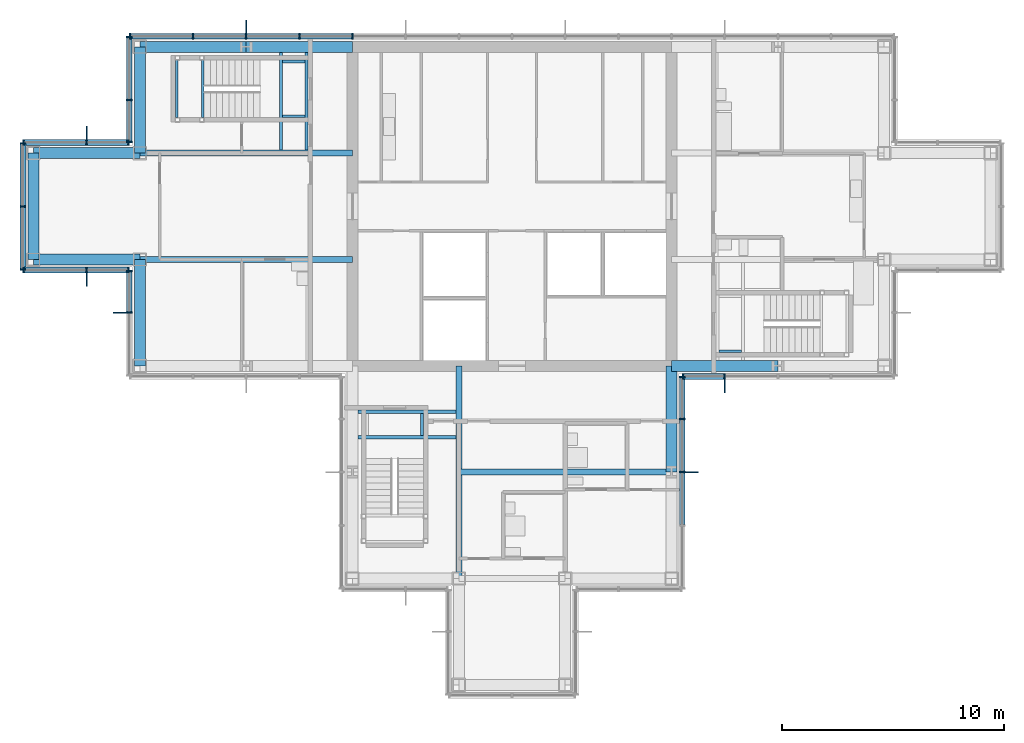
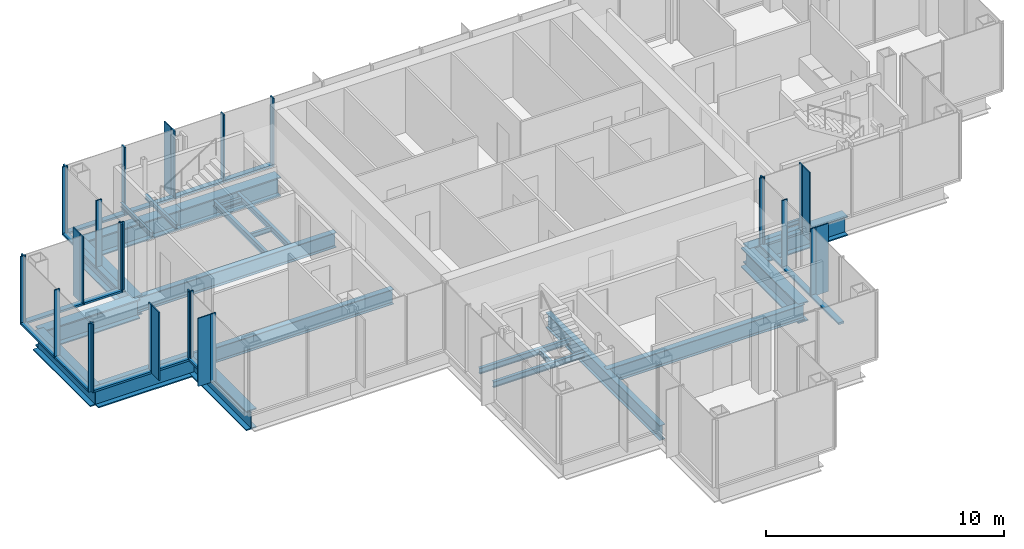
# One storey, part 6 of 15: 47 members, 23 beams, 8 elements without a shape of their own.
"""IFC4 building model written with IfcOpenShell, lengths in metres."""

from ifc_helpers import new_model, si_unit, direction, frame, origin, origin_2d, place, context, subcontext, project, spatial, rectangle, i_section, extrude, material, material_profile, profile_set, type_object, element, aggregate, save


model = new_model("IFC4")

# Units and contexts
model_context = context("Model", 3, precision=1e-05, world=origin(), true_north=direction((0.0, 1.0)))
body_context = subcontext(model_context, "Body", "Model", "MODEL_VIEW")
ifc_project = project(units=[si_unit("LENGTHUNIT", "METRE"), si_unit("AREAUNIT", "SQUARE_METRE"), si_unit("VOLUMEUNIT", "CUBIC_METRE"), si_unit("PLANEANGLEUNIT", "RADIAN"), si_unit("MASSUNIT", "GRAM", prefix="KILO")], contexts=[model_context])

# Site, building, storey
site_placement = place(None, origin())
site = spatial("IfcSite", under=ifc_project, at=site_placement, CompositionType="ELEMENT")
building_placement = place(site_placement, origin())
building = spatial("IfcBuilding", under=site, at=building_placement, Name="Kvirike Care Tower", CompositionType="ELEMENT")
storey_placement = place(building_placement, frame((0.0, 0.0, 236.5)))
storey = spatial("IfcBuildingStorey", under=building, at=storey_placement, Name="L65", CompositionType="ELEMENT", Elevation=236.5)

# Curtain wall, member
ifc_material_1 = material(Name="Anodised aluminium stick system", Category="aluminium")
curtain_wall_type = type_object("IfcCurtainWallType", Name="CW-D STICK CURTAIN WALL", PredefinedType="NOTDEFINED", material=ifc_material_1)
curtain_wall_1_placement = place(storey_placement, origin())
curtain_wall_1 = element("IfcCurtainWall", 1, at=curtain_wall_1_placement, inside=storey, type_object=curtain_wall_type, Name="Curtain wall L65 face 1", PredefinedType="NOTDEFINED")
ifc_material_2 = material(Name="Bronze anodised aluminium fin", Category="aluminium")
ifc_material_profile_1 = material_profile(ifc_material_2, rectangle(XDim=0.050048828125, YDim=0.60009765625, at=origin_2d()), Name="BRONZE FIN 600")
ifc_profile_set_1 = profile_set([ifc_material_profile_1], Name="Bronze anodised aluminium fin")
member_type_1 = type_object("IfcMemberType", Name="BRONZE FIN 600", PredefinedType="USERDEFINED", material=ifc_profile_set_1)
member_1_placement = place(storey_placement, frame((31.199951171875, 27.889892578125, 0.0), z_axis=(0.0, 0.0, 1.0), x_axis=(1.0, 0.0, 0.0)))
member_1 = element("IfcMember", 2, at=member_1_placement, type_object=member_type_1, Name="Bronze fin L65 face 1.2", ObjectType="FIN", PredefinedType="USERDEFINED", context=body_context, shape_type="SweptSolid", body=[
    extrude(rectangle(XDim=0.050048828125, YDim=0.60009765625, at=origin_2d()), origin(), (0.0, 0.0, 1.0), 3.5),
])

curtain_wall_2_placement = place(storey_placement, origin())
curtain_wall_2 = element("IfcCurtainWall", 3, at=curtain_wall_2_placement, inside=storey, type_object=curtain_wall_type, Name="Curtain wall L65 face 7", PredefinedType="NOTDEFINED")
member_2_placement = place(storey_placement, frame((9.60009765625, 44.110107421875, 0.0), z_axis=(0.0, 0.0, 1.0), x_axis=(-1.0, 0.0, 0.0)))
member_2 = element("IfcMember", 4, at=member_2_placement, type_object=member_type_1, Name="Bronze fin L65 face 7.13", ObjectType="FIN", PredefinedType="USERDEFINED", context=body_context, shape_type="SweptSolid", body=[
    extrude(rectangle(XDim=0.050048828125, YDim=0.60009765625, at=origin_2d()), origin(), (0.0, 0.0, 1.0), 3.5),
])

curtain_wall_3_placement = place(storey_placement, origin())
curtain_wall_3 = element("IfcCurtainWall", 5, at=curtain_wall_3_placement, inside=storey, type_object=curtain_wall_type, Name="Curtain wall L65 face 9", PredefinedType="NOTDEFINED")
member_3_placement = place(storey_placement, frame((2.39990234375, 39.31005859375, 0.0), z_axis=(0.0, 0.0, 1.0), x_axis=(-1.0, 0.0, 0.0)))
member_3 = element("IfcMember", 6, at=member_3_placement, type_object=member_type_1, Name="Bronze fin L65 face 9.2", ObjectType="FIN", PredefinedType="USERDEFINED", context=body_context, shape_type="SweptSolid", body=[
    extrude(rectangle(XDim=0.050048828125, YDim=0.60009765625, at=origin_2d()), origin(), (0.0, 0.0, 1.0), 3.5),
])

curtain_wall_4_placement = place(storey_placement, origin())
curtain_wall_4 = element("IfcCurtainWall", 7, at=curtain_wall_4_placement, inside=storey, type_object=curtain_wall_type, Name="Curtain wall L65 face 11", PredefinedType="NOTDEFINED")
member_4_placement = place(storey_placement, frame((2.39990234375, 32.68994140625, 0.0), z_axis=(0.0, 0.0, 1.0), x_axis=(1.0, 0.0, 0.0)))
member_4 = element("IfcMember", 8, at=member_4_placement, type_object=member_type_1, Name="Bronze fin L65 face 11.2", ObjectType="FIN", PredefinedType="USERDEFINED", context=body_context, shape_type="SweptSolid", body=[
    extrude(rectangle(XDim=0.050048828125, YDim=0.60009765625, at=origin_2d()), origin(), (0.0, 0.0, 1.0), 3.5),
])

curtain_wall_5_placement = place(storey_placement, origin())
curtain_wall_5 = element("IfcCurtainWall", 9, at=curtain_wall_5_placement, inside=storey, type_object=curtain_wall_type, Name="Curtain wall L65 face 12", PredefinedType="NOTDEFINED")
member_5_placement = place(storey_placement, frame((3.889892578125, 31.199951171875, 0.0), z_axis=(0.0, 0.0, 1.0), x_axis=(0.0, -1.0, 0.0)))
member_5 = element("IfcMember", 10, at=member_5_placement, type_object=member_type_1, Name="Bronze fin L65 face 12.2", ObjectType="FIN", PredefinedType="USERDEFINED", context=body_context, shape_type="SweptSolid", body=[
    extrude(rectangle(XDim=0.050048828125, YDim=0.60009765625, at=origin_2d()), origin(), (0.0, 0.0, 1.0), 3.5),
])

curtain_wall_6_placement = place(storey_placement, origin())
curtain_wall_6 = element("IfcCurtainWall", 11, at=curtain_wall_6_placement, inside=storey, type_object=curtain_wall_type, Name="Curtain wall L65 face 20", PredefinedType="NOTDEFINED")
member_6_placement = place(storey_placement, frame((29.7099609375, 24.0, 0.0), z_axis=(0.0, 0.0, 1.0), x_axis=(0.0, 1.0, 0.0)))
member_6 = element("IfcMember", 12, at=member_6_placement, type_object=member_type_1, Name="Bronze fin L65 face 20.3", ObjectType="FIN", PredefinedType="USERDEFINED", context=body_context, shape_type="SweptSolid", body=[
    extrude(rectangle(XDim=0.050048828125, YDim=0.60009765625, at=origin_2d()), origin(), (0.0, 0.0, 1.0), 3.5),
])

# Member
ifc_material_3 = material(Name="Bronze anodised aluminium mullion", Category="aluminium")
ifc_material_profile_2 = material_profile(ifc_material_3, rectangle(XDim=0.06494140625, YDim=0.260009765625, at=origin_2d()), Name="CW-D MULLION 65x260")
ifc_profile_set_2 = profile_set([ifc_material_profile_2], Name="Bronze anodised aluminium mullion")
member_type_2 = type_object("IfcMemberType", Name="CW-D MULLION 65x260", PredefinedType="MULLION", material=ifc_profile_set_2)
member_7_placement = place(storey_placement, frame((29.3125, 28.320068359375, 0.0), z_axis=(0.0, 0.0, 1.0), x_axis=(1.0, 0.0, 0.0)))
member_7 = element("IfcMember", 13, at=member_7_placement, type_object=member_type_2, Name="CW-D mullion L65 face 1.1", PredefinedType="MULLION", context=body_context, shape_type="SweptSolid", body=[
    extrude(rectangle(XDim=0.06494140625, YDim=0.260009765625, at=origin_2d()), origin(), (0.0, 0.0, 1.0), 3.5),
])

member_8_placement = place(storey_placement, frame((31.199951171875, 28.320068359375, 0.0), z_axis=(0.0, 0.0, 1.0), x_axis=(1.0, 0.0, 0.0)))
member_8 = element("IfcMember", 14, at=member_8_placement, type_object=member_type_2, Name="CW-D mullion L65 face 1.2", PredefinedType="MULLION", context=body_context, shape_type="SweptSolid", body=[
    extrude(rectangle(XDim=0.06494140625, YDim=0.260009765625, at=origin_2d()), origin(), (0.0, 0.0, 1.0), 3.5),
])

member_9_placement = place(storey_placement, frame((14.39990234375, 43.679931640625, 0.0), z_axis=(0.0, 0.0, 1.0), x_axis=(-1.0, 0.0, 0.0)))
member_9 = element("IfcMember", 15, at=member_9_placement, type_object=member_type_2, Name="CW-D mullion L65 face 7.11", PredefinedType="MULLION", context=body_context, shape_type="SweptSolid", body=[
    extrude(rectangle(XDim=0.06494140625, YDim=0.260009765625, at=origin_2d()), origin(), (0.0, 0.0, 1.0), 3.5),
])

member_10_placement = place(storey_placement, frame((12.0, 43.679931640625, 0.0), z_axis=(0.0, 0.0, 1.0), x_axis=(-1.0, 0.0, 0.0)))
member_10 = element("IfcMember", 16, at=member_10_placement, type_object=member_type_2, Name="CW-D mullion L65 face 7.12", PredefinedType="MULLION", context=body_context, shape_type="SweptSolid", body=[
    extrude(rectangle(XDim=0.06494140625, YDim=0.260009765625, at=origin_2d()), origin(), (0.0, 0.0, 1.0), 3.5),
])

member_11_placement = place(storey_placement, frame((9.60009765625, 43.679931640625, 0.0), z_axis=(0.0, 0.0, 1.0), x_axis=(-1.0, 0.0, 0.0)))
member_11 = element("IfcMember", 17, at=member_11_placement, type_object=member_type_2, Name="CW-D mullion L65 face 7.13", PredefinedType="MULLION", context=body_context, shape_type="SweptSolid", body=[
    extrude(rectangle(XDim=0.06494140625, YDim=0.260009765625, at=origin_2d()), origin(), (0.0, 0.0, 1.0), 3.5),
])

member_12_placement = place(storey_placement, frame((7.199951171875, 43.679931640625, 0.0), z_axis=(0.0, 0.0, 1.0), x_axis=(-1.0, 0.0, 0.0)))
member_12 = element("IfcMember", 18, at=member_12_placement, type_object=member_type_2, Name="CW-D mullion L65 face 7.14", PredefinedType="MULLION", context=body_context, shape_type="SweptSolid", body=[
    extrude(rectangle(XDim=0.06494140625, YDim=0.260009765625, at=origin_2d()), origin(), (0.0, 0.0, 1.0), 3.5),
])

member_13_placement = place(storey_placement, frame((4.3525390625, 43.679931640625, 0.0), z_axis=(0.0, 0.0, 1.0), x_axis=(-1.0, 0.0, 0.0)))
member_13 = element("IfcMember", 19, at=member_13_placement, type_object=member_type_2, Name="CW-D mullion L65 face 7.15", PredefinedType="MULLION", context=body_context, shape_type="SweptSolid", body=[
    extrude(rectangle(XDim=0.06494140625, YDim=0.260009765625, at=origin_2d()), origin(), (0.0, 0.0, 1.0), 3.5),
])

# Curtain wall, members
curtain_wall_7_placement = place(storey_placement, origin())
curtain_wall_7 = element("IfcCurtainWall", 20, at=curtain_wall_7_placement, inside=storey, type_object=curtain_wall_type, Name="Curtain wall L65 face 8", PredefinedType="NOTDEFINED")
member_14_placement = place(storey_placement, frame((4.320068359375, 43.6474609375, 0.0), z_axis=(0.0, 0.0, 1.0), x_axis=(0.0, -1.0, 0.0)))
member_14 = element("IfcMember", 21, at=member_14_placement, type_object=member_type_2, Name="CW-D mullion L65 face 8.1", PredefinedType="MULLION", context=body_context, shape_type="SweptSolid", body=[
    extrude(rectangle(XDim=0.06494140625, YDim=0.260009765625, at=origin_2d()), origin(), (0.0, 0.0, 1.0), 3.5),
])
member_15_placement = place(storey_placement, frame((4.320068359375, 40.800048828125, 0.0), z_axis=(0.0, 0.0, 1.0), x_axis=(0.0, -1.0, 0.0)))
member_15 = element("IfcMember", 22, at=member_15_placement, type_object=member_type_2, Name="CW-D mullion L65 face 8.2", PredefinedType="MULLION", context=body_context, shape_type="SweptSolid", body=[
    extrude(rectangle(XDim=0.06494140625, YDim=0.260009765625, at=origin_2d()), origin(), (0.0, 0.0, 1.0), 3.5),
])
member_16_placement = place(storey_placement, frame((4.320068359375, 38.91259765625, 0.0), z_axis=(0.0, 0.0, 1.0), x_axis=(0.0, -1.0, 0.0)))
member_16 = element("IfcMember", 23, at=member_16_placement, type_object=member_type_2, Name="CW-D mullion L65 face 8.3", PredefinedType="MULLION", context=body_context, shape_type="SweptSolid", body=[
    extrude(rectangle(XDim=0.06494140625, YDim=0.260009765625, at=origin_2d()), origin(), (0.0, 0.0, 1.0), 3.5),
])

# Member
member_17_placement = place(storey_placement, frame((4.28759765625, 38.8798828125, 0.0), z_axis=(0.0, 0.0, 1.0), x_axis=(-1.0, 0.0, 0.0)))
member_17 = element("IfcMember", 24, at=member_17_placement, type_object=member_type_2, Name="CW-D mullion L65 face 9.1", PredefinedType="MULLION", context=body_context, shape_type="SweptSolid", body=[
    extrude(rectangle(XDim=0.06494140625, YDim=0.260009765625, at=origin_2d()), origin(), (0.0, 0.0, 1.0), 3.5),
])

member_18_placement = place(storey_placement, frame((2.39990234375, 38.8798828125, 0.0), z_axis=(0.0, 0.0, 1.0), x_axis=(-1.0, 0.0, 0.0)))
member_18 = element("IfcMember", 25, at=member_18_placement, type_object=member_type_2, Name="CW-D mullion L65 face 9.2", PredefinedType="MULLION", context=body_context, shape_type="SweptSolid", body=[
    extrude(rectangle(XDim=0.06494140625, YDim=0.260009765625, at=origin_2d()), origin(), (0.0, 0.0, 1.0), 3.5),
])

member_19_placement = place(storey_placement, frame((-0.447509765625, 38.8798828125, 0.0), z_axis=(0.0, 0.0, 1.0), x_axis=(-1.0, 0.0, 0.0)))
member_19 = element("IfcMember", 26, at=member_19_placement, type_object=member_type_2, Name="CW-D mullion L65 face 9.3", PredefinedType="MULLION", context=body_context, shape_type="SweptSolid", body=[
    extrude(rectangle(XDim=0.06494140625, YDim=0.260009765625, at=origin_2d()), origin(), (0.0, 0.0, 1.0), 3.5),
])

# Curtain wall, members
curtain_wall_8_placement = place(storey_placement, origin())
curtain_wall_8 = element("IfcCurtainWall", 27, at=curtain_wall_8_placement, inside=storey, type_object=curtain_wall_type, Name="Curtain wall L65 face 10", PredefinedType="NOTDEFINED")
member_20_placement = place(storey_placement, frame((-0.47998046875, 38.847412109375, 0.0), z_axis=(0.0, 0.0, 1.0), x_axis=(0.0, -1.0, 0.0)))
member_20 = element("IfcMember", 28, at=member_20_placement, type_object=member_type_2, Name="CW-D mullion L65 face 10.1", PredefinedType="MULLION", context=body_context, shape_type="SweptSolid", body=[
    extrude(rectangle(XDim=0.06494140625, YDim=0.260009765625, at=origin_2d()), origin(), (0.0, 0.0, 1.0), 3.5),
])
member_21_placement = place(storey_placement, frame((-0.47998046875, 36.0, 0.0), z_axis=(0.0, 0.0, 1.0), x_axis=(0.0, -1.0, 0.0)))
member_21 = element("IfcMember", 29, at=member_21_placement, type_object=member_type_2, Name="CW-D mullion L65 face 10.2", PredefinedType="MULLION", context=body_context, shape_type="SweptSolid", body=[
    extrude(rectangle(XDim=0.06494140625, YDim=0.260009765625, at=origin_2d()), origin(), (0.0, 0.0, 1.0), 3.5),
])
member_22_placement = place(storey_placement, frame((-0.47998046875, 33.152587890625, 0.0), z_axis=(0.0, 0.0, 1.0), x_axis=(0.0, -1.0, 0.0)))
member_22 = element("IfcMember", 30, at=member_22_placement, type_object=member_type_2, Name="CW-D mullion L65 face 10.3", PredefinedType="MULLION", context=body_context, shape_type="SweptSolid", body=[
    extrude(rectangle(XDim=0.06494140625, YDim=0.260009765625, at=origin_2d()), origin(), (0.0, 0.0, 1.0), 3.5),
])

# Member
member_23_placement = place(storey_placement, frame((-0.447509765625, 33.1201171875, 0.0), z_axis=(0.0, 0.0, 1.0), x_axis=(1.0, 0.0, 0.0)))
member_23 = element("IfcMember", 31, at=member_23_placement, type_object=member_type_2, Name="CW-D mullion L65 face 11.1", PredefinedType="MULLION", context=body_context, shape_type="SweptSolid", body=[
    extrude(rectangle(XDim=0.06494140625, YDim=0.260009765625, at=origin_2d()), origin(), (0.0, 0.0, 1.0), 3.5),
])

member_24_placement = place(storey_placement, frame((2.39990234375, 33.1201171875, 0.0), z_axis=(0.0, 0.0, 1.0), x_axis=(1.0, 0.0, 0.0)))
member_24 = element("IfcMember", 32, at=member_24_placement, type_object=member_type_2, Name="CW-D mullion L65 face 11.2", PredefinedType="MULLION", context=body_context, shape_type="SweptSolid", body=[
    extrude(rectangle(XDim=0.06494140625, YDim=0.260009765625, at=origin_2d()), origin(), (0.0, 0.0, 1.0), 3.5),
])

member_25_placement = place(storey_placement, frame((4.28759765625, 33.1201171875, 0.0), z_axis=(0.0, 0.0, 1.0), x_axis=(1.0, 0.0, 0.0)))
member_25 = element("IfcMember", 33, at=member_25_placement, type_object=member_type_2, Name="CW-D mullion L65 face 11.3", PredefinedType="MULLION", context=body_context, shape_type="SweptSolid", body=[
    extrude(rectangle(XDim=0.06494140625, YDim=0.260009765625, at=origin_2d()), origin(), (0.0, 0.0, 1.0), 3.5),
])

member_26_placement = place(storey_placement, frame((4.320068359375, 33.08740234375, 0.0), z_axis=(0.0, 0.0, 1.0), x_axis=(0.0, -1.0, 0.0)))
member_26 = element("IfcMember", 34, at=member_26_placement, type_object=member_type_2, Name="CW-D mullion L65 face 12.1", PredefinedType="MULLION", context=body_context, shape_type="SweptSolid", body=[
    extrude(rectangle(XDim=0.06494140625, YDim=0.260009765625, at=origin_2d()), origin(), (0.0, 0.0, 1.0), 3.5),
])

member_27_placement = place(storey_placement, frame((4.320068359375, 31.199951171875, 0.0), z_axis=(0.0, 0.0, 1.0), x_axis=(0.0, -1.0, 0.0)))
member_27 = element("IfcMember", 35, at=member_27_placement, type_object=member_type_2, Name="CW-D mullion L65 face 12.2", PredefinedType="MULLION", context=body_context, shape_type="SweptSolid", body=[
    extrude(rectangle(XDim=0.06494140625, YDim=0.260009765625, at=origin_2d()), origin(), (0.0, 0.0, 1.0), 3.5),
])

member_28_placement = place(storey_placement, frame((29.280029296875, 24.0, 0.0), z_axis=(0.0, 0.0, 1.0), x_axis=(0.0, 1.0, 0.0)))
member_28 = element("IfcMember", 36, at=member_28_placement, type_object=member_type_2, Name="CW-D mullion L65 face 20.3", PredefinedType="MULLION", context=body_context, shape_type="SweptSolid", body=[
    extrude(rectangle(XDim=0.06494140625, YDim=0.260009765625, at=origin_2d()), origin(), (0.0, 0.0, 1.0), 3.5),
])

member_29_placement = place(storey_placement, frame((29.280029296875, 26.39990234375, 0.0), z_axis=(0.0, 0.0, 1.0), x_axis=(0.0, 1.0, 0.0)))
member_29 = element("IfcMember", 37, at=member_29_placement, type_object=member_type_2, Name="CW-D mullion L65 face 20.4", PredefinedType="MULLION", context=body_context, shape_type="SweptSolid", body=[
    extrude(rectangle(XDim=0.06494140625, YDim=0.260009765625, at=origin_2d()), origin(), (0.0, 0.0, 1.0), 3.5),
])

member_30_placement = place(storey_placement, frame((29.280029296875, 28.28759765625, 0.0), z_axis=(0.0, 0.0, 1.0), x_axis=(0.0, 1.0, 0.0)))
member_30 = element("IfcMember", 38, at=member_30_placement, type_object=member_type_2, Name="CW-D mullion L65 face 20.5", PredefinedType="MULLION", context=body_context, shape_type="SweptSolid", body=[
    extrude(rectangle(XDim=0.06494140625, YDim=0.260009765625, at=origin_2d()), origin(), (0.0, 0.0, 1.0), 3.5),
])

ifc_material_4 = material(Name="Bronze anodised aluminium transom", Category="aluminium")
ifc_material_profile_3 = material_profile(ifc_material_4, rectangle(XDim=0.260009765625, YDim=0.10009765625, at=origin_2d()), Name="CW-D TRANSOM 260x100")
ifc_profile_set_3 = profile_set([ifc_material_profile_3], Name="Bronze anodised aluminium transom")
member_type_3 = type_object("IfcMemberType", Name="CW-D TRANSOM 260x100", PredefinedType="USERDEFINED", material=ifc_profile_set_3)
member_31_placement = place(storey_placement, frame((29.344970703125, 28.320068359375, 0.050048828125), z_axis=(1.0, 0.0, 0.0), x_axis=(0.0, 1.0, 0.0)))
member_31 = element("IfcMember", 39, at=member_31_placement, type_object=member_type_3, Name="CW-D sill transom L65 face 1.1", ObjectType="TRANSOM", PredefinedType="USERDEFINED", context=body_context, shape_type="SweptSolid", body=[
    extrude(rectangle(XDim=0.260009765625, YDim=0.10009765625, at=origin_2d()), origin(), (0.0, 0.0, 1.0), 1.822509765625),
])

aggregate(curtain_wall_1, [member_7, member_8, member_1, member_31])

member_32_placement = place(storey_placement, frame((14.367431640625, 43.679931640625, 0.050048828125), z_axis=(-1.0, 0.0, 0.0), x_axis=(0.0, -1.0, 0.0)))
member_32 = element("IfcMember", 40, at=member_32_placement, type_object=member_type_3, Name="CW-D sill transom L65 face 7.11", ObjectType="TRANSOM", PredefinedType="USERDEFINED", context=body_context, shape_type="SweptSolid", body=[
    extrude(rectangle(XDim=0.260009765625, YDim=0.10009765625, at=origin_2d()), origin(), (0.0, 0.0, 1.0), 2.3349609375),
])

member_33_placement = place(storey_placement, frame((11.967529296875, 43.679931640625, 0.050048828125), z_axis=(-1.0, 0.0, 0.0), x_axis=(0.0, -1.0, 0.0)))
member_33 = element("IfcMember", 41, at=member_33_placement, type_object=member_type_3, Name="CW-D sill transom L65 face 7.12", ObjectType="TRANSOM", PredefinedType="USERDEFINED", context=body_context, shape_type="SweptSolid", body=[
    extrude(rectangle(XDim=0.260009765625, YDim=0.10009765625, at=origin_2d()), origin(), (0.0, 0.0, 1.0), 2.3349609375),
])

member_34_placement = place(storey_placement, frame((9.5673828125, 43.679931640625, 0.050048828125), z_axis=(-1.0, 0.0, 0.0), x_axis=(0.0, -1.0, 0.0)))
member_34 = element("IfcMember", 42, at=member_34_placement, type_object=member_type_3, Name="CW-D sill transom L65 face 7.13", ObjectType="TRANSOM", PredefinedType="USERDEFINED", context=body_context, shape_type="SweptSolid", body=[
    extrude(rectangle(XDim=0.260009765625, YDim=0.10009765625, at=origin_2d()), origin(), (0.0, 0.0, 1.0), 2.3349609375),
])

member_35_placement = place(storey_placement, frame((7.16748046875, 43.679931640625, 0.050048828125), z_axis=(-1.0, 0.0, 0.0), x_axis=(0.0, -1.0, 0.0)))
member_35 = element("IfcMember", 43, at=member_35_placement, type_object=member_type_3, Name="CW-D sill transom L65 face 7.14", ObjectType="TRANSOM", PredefinedType="USERDEFINED", context=body_context, shape_type="SweptSolid", body=[
    extrude(rectangle(XDim=0.260009765625, YDim=0.10009765625, at=origin_2d()), origin(), (0.0, 0.0, 1.0), 2.782470703125),
])

aggregate(curtain_wall_2, [member_9, member_10, member_11, member_2, member_12, member_13, member_32, member_33, member_34, member_35])

member_36_placement = place(storey_placement, frame((4.320068359375, 43.614990234375, 0.050048828125), z_axis=(0.0, -1.0, 0.0), x_axis=(1.0, 0.0, 0.0)))
member_36 = element("IfcMember", 44, at=member_36_placement, type_object=member_type_3, Name="CW-D sill transom L65 face 8.1", ObjectType="TRANSOM", PredefinedType="USERDEFINED", context=body_context, shape_type="SweptSolid", body=[
    extrude(rectangle(XDim=0.260009765625, YDim=0.10009765625, at=origin_2d()), origin(), (0.0, 0.0, 1.0), 2.782470703125),
])

member_37_placement = place(storey_placement, frame((4.320068359375, 40.767578125, 0.050048828125), z_axis=(0.0, -1.0, 0.0), x_axis=(1.0, 0.0, 0.0)))
member_37 = element("IfcMember", 45, at=member_37_placement, type_object=member_type_3, Name="CW-D sill transom L65 face 8.2", ObjectType="TRANSOM", PredefinedType="USERDEFINED", context=body_context, shape_type="SweptSolid", body=[
    extrude(rectangle(XDim=0.260009765625, YDim=0.10009765625, at=origin_2d()), origin(), (0.0, 0.0, 1.0), 1.822509765625),
])

aggregate(curtain_wall_7, [member_14, member_15, member_16, member_36, member_37])

member_38_placement = place(storey_placement, frame((4.2548828125, 38.8798828125, 0.050048828125), z_axis=(-1.0, 0.0, 0.0), x_axis=(0.0, -1.0, 0.0)))
member_38 = element("IfcMember", 46, at=member_38_placement, type_object=member_type_3, Name="CW-D sill transom L65 face 9.1", ObjectType="TRANSOM", PredefinedType="USERDEFINED", context=body_context, shape_type="SweptSolid", body=[
    extrude(rectangle(XDim=0.260009765625, YDim=0.10009765625, at=origin_2d()), origin(), (0.0, 0.0, 1.0), 1.822265625),
])

member_39_placement = place(storey_placement, frame((2.367431640625, 38.8798828125, 0.050048828125), z_axis=(-1.0, 0.0, 0.0), x_axis=(0.0, -1.0, 0.0)))
member_39 = element("IfcMember", 47, at=member_39_placement, type_object=member_type_3, Name="CW-D sill transom L65 face 9.2", ObjectType="TRANSOM", PredefinedType="USERDEFINED", context=body_context, shape_type="SweptSolid", body=[
    extrude(rectangle(XDim=0.260009765625, YDim=0.10009765625, at=origin_2d()), origin(), (0.0, 0.0, 1.0), 2.782470703125),
])

aggregate(curtain_wall_3, [member_17, member_18, member_3, member_19, member_38, member_39])

member_40_placement = place(storey_placement, frame((-0.47998046875, 38.81494140625, 0.050048828125), z_axis=(0.0, -1.0, 0.0), x_axis=(1.0, 0.0, 0.0)))
member_40 = element("IfcMember", 48, at=member_40_placement, type_object=member_type_3, Name="CW-D sill transom L65 face 10.1", ObjectType="TRANSOM", PredefinedType="USERDEFINED", context=body_context, shape_type="SweptSolid", body=[
    extrude(rectangle(XDim=0.260009765625, YDim=0.10009765625, at=origin_2d()), origin(), (0.0, 0.0, 1.0), 2.782470703125),
])

member_41_placement = place(storey_placement, frame((-0.47998046875, 35.967529296875, 0.050048828125), z_axis=(0.0, -1.0, 0.0), x_axis=(1.0, 0.0, 0.0)))
member_41 = element("IfcMember", 49, at=member_41_placement, type_object=member_type_3, Name="CW-D sill transom L65 face 10.2", ObjectType="TRANSOM", PredefinedType="USERDEFINED", context=body_context, shape_type="SweptSolid", body=[
    extrude(rectangle(XDim=0.260009765625, YDim=0.10009765625, at=origin_2d()), origin(), (0.0, 0.0, 1.0), 2.782470703125),
])

aggregate(curtain_wall_8, [member_20, member_21, member_22, member_40, member_41])

member_42_placement = place(storey_placement, frame((-0.4150390625, 33.1201171875, 0.050048828125), z_axis=(1.0, 0.0, 0.0), x_axis=(0.0, 1.0, 0.0)))
member_42 = element("IfcMember", 50, at=member_42_placement, type_object=member_type_3, Name="CW-D sill transom L65 face 11.1", ObjectType="TRANSOM", PredefinedType="USERDEFINED", context=body_context, shape_type="SweptSolid", body=[
    extrude(rectangle(XDim=0.260009765625, YDim=0.10009765625, at=origin_2d()), origin(), (0.0, 0.0, 1.0), 2.782470703125),
])

member_43_placement = place(storey_placement, frame((2.4326171875, 33.1201171875, 0.050048828125), z_axis=(1.0, 0.0, 0.0), x_axis=(0.0, 1.0, 0.0)))
member_43 = element("IfcMember", 51, at=member_43_placement, type_object=member_type_3, Name="CW-D sill transom L65 face 11.2", ObjectType="TRANSOM", PredefinedType="USERDEFINED", context=body_context, shape_type="SweptSolid", body=[
    extrude(rectangle(XDim=0.260009765625, YDim=0.10009765625, at=origin_2d()), origin(), (0.0, 0.0, 1.0), 1.822265625),
])

aggregate(curtain_wall_4, [member_23, member_24, member_4, member_25, member_42, member_43])

member_44_placement = place(storey_placement, frame((4.320068359375, 33.054931640625, 0.050048828125), z_axis=(0.0, -1.0, 0.0), x_axis=(1.0, 0.0, 0.0)))
member_44 = element("IfcMember", 52, at=member_44_placement, type_object=member_type_3, Name="CW-D sill transom L65 face 12.1", ObjectType="TRANSOM", PredefinedType="USERDEFINED", context=body_context, shape_type="SweptSolid", body=[
    extrude(rectangle(XDim=0.260009765625, YDim=0.10009765625, at=origin_2d()), origin(), (0.0, 0.0, 1.0), 1.822509765625),
])

aggregate(curtain_wall_5, [member_26, member_27, member_5, member_44])

member_45_placement = place(storey_placement, frame((29.280029296875, 21.632568359375, 0.050048828125), z_axis=(0.0, 1.0, 0.0), x_axis=(-1.0, 0.0, 0.0)))
member_45 = element("IfcMember", 53, at=member_45_placement, type_object=member_type_3, Name="CW-D sill transom L65 face 20.2", ObjectType="TRANSOM", PredefinedType="USERDEFINED", context=body_context, shape_type="SweptSolid", body=[
    extrude(rectangle(XDim=0.260009765625, YDim=0.10009765625, at=origin_2d()), origin(), (0.0, 0.0, 1.0), 2.3349609375),
])

member_46_placement = place(storey_placement, frame((29.280029296875, 24.032470703125, 0.050048828125), z_axis=(0.0, 1.0, 0.0), x_axis=(-1.0, 0.0, 0.0)))
member_46 = element("IfcMember", 54, at=member_46_placement, type_object=member_type_3, Name="CW-D sill transom L65 face 20.3", ObjectType="TRANSOM", PredefinedType="USERDEFINED", context=body_context, shape_type="SweptSolid", body=[
    extrude(rectangle(XDim=0.260009765625, YDim=0.10009765625, at=origin_2d()), origin(), (0.0, 0.0, 1.0), 2.3349609375),
])

member_47_placement = place(storey_placement, frame((29.280029296875, 26.4326171875, 0.050048828125), z_axis=(0.0, 1.0, 0.0), x_axis=(-1.0, 0.0, 0.0)))
member_47 = element("IfcMember", 55, at=member_47_placement, type_object=member_type_3, Name="CW-D sill transom L65 face 20.4", ObjectType="TRANSOM", PredefinedType="USERDEFINED", context=body_context, shape_type="SweptSolid", body=[
    extrude(rectangle(XDim=0.260009765625, YDim=0.10009765625, at=origin_2d()), origin(), (0.0, 0.0, 1.0), 1.822265625),
])

aggregate(curtain_wall_6, [member_28, member_6, member_29, member_30, member_45, member_46, member_47])

# Beams
ifc_material_5 = material(Name="Steel S355", Category="steel")
ifc_material_profile_4 = material_profile(ifc_material_5, i_section(OverallWidth=0.26806640625, OverallDepth=0.77001953125, WebThickness=0.015625, FlangeThickness=0.025390625, FilletRadius=0.01708984375, at=origin_2d()), Name="IPE 750x196")
ifc_profile_set_4 = profile_set([ifc_material_profile_4], Name="Steel S355")
beam_type_1 = type_object("IfcBeamType", Name="FLOOR BEAM IPE 750x196", PredefinedType="BEAM", material=ifc_profile_set_4)
beam_1_placement = place(storey_placement, frame((19.199951171875, 24.0, -0.554931640625), z_axis=(1.0, 0.0, 0.0), x_axis=(0.0, 1.0, 0.0)))
element("IfcBeam", 56, at=beam_1_placement, inside=storey, type_object=beam_type_1, Name="Floor Beam F7-F9 L65", PredefinedType="BEAM", context=body_context, shape_type="SweptSolid", body=[
    extrude(i_section(OverallWidth=0.26806640625, OverallDepth=0.77001953125, WebThickness=0.015625, FlangeThickness=0.025390625, FilletRadius=0.01708984375, at=origin_2d()), origin(), (0.0, 0.0, 1.0), 9.60009765625),
])
for number, where, z_axis, x_axis, name in (
    (57, (4.800048828125, 33.60009765625, -0.554931640625), (1.0, 0.0, 0.0), (0.0, 1.0, 0.0), "Floor Beam H4-H6 L65"),
    (58, (4.800048828125, 38.39990234375, -0.554931640625), (1.0, 0.0, 0.0), (0.0, 1.0, 0.0), "Floor Beam J4-J6 L65"),
):
    element("IfcBeam", number, at=place(storey_placement, frame(where, z_axis=z_axis, x_axis=x_axis)), inside=storey, type_object=beam_type_1, Name=name, PredefinedType="BEAM", context=body_context, shape_type="SweptSolid", body=[
        extrude(i_section(OverallWidth=0.26806640625, OverallDepth=0.77001953125, WebThickness=0.015625, FlangeThickness=0.025390625, FilletRadius=0.01708984375, at=origin_2d()), origin(), (0.0, 0.0, 1.0), 9.599853515625),
    ])
beam_2_placement = place(storey_placement, frame((19.199951171875, 19.199951171875, -0.554931640625), z_axis=(0.0, 1.0, 0.0), x_axis=(-1.0, 0.0, 0.0)))
element("IfcBeam", 59, at=beam_2_placement, inside=storey, type_object=beam_type_1, Name="Floor Beam E7-G7 L65", PredefinedType="BEAM", context=body_context, shape_type="SweptSolid", body=[
    extrude(i_section(OverallWidth=0.26806640625, OverallDepth=0.77001953125, WebThickness=0.015625, FlangeThickness=0.025390625, FilletRadius=0.01708984375, at=origin_2d()), origin(), (0.0, 0.0, 1.0), 9.60009765625),
])
ifc_material_6 = material(Name="Steel S355", Category="steel")
ifc_material_profile_5 = material_profile(ifc_material_6, i_section(OverallWidth=0.5, OverallDepth=1.0, WebThickness=0.030029296875, FlangeThickness=0.06005859375, at=origin_2d()), Name="PG 1000x500x30x60")
ifc_profile_set_5 = profile_set([ifc_material_profile_5], Name="Steel S355")
beam_type_2 = type_object("IfcBeamType", Name="SPANDREL PG 1000x500x30x60", PredefinedType="SPANDREL", material=ifc_profile_set_5)
for number, where, z_axis, x_axis, name in (
    (60, (28.800048828125, 28.800048828125, -0.669921875), (1.0, 0.0, 0.0), (0.0, 1.0, 0.0), "Spandrel G9-G10 L65"),
    (61, (0.0, 33.60009765625, -0.669921875), (1.0, 0.0, 0.0), (0.0, 1.0, 0.0), "Spandrel H3-H4 L65"),
    (62, (0.0, 38.39990234375, -0.669921875), (1.0, 0.0, 0.0), (0.0, 1.0, 0.0), "Spandrel J3-J4 L65"),
    (63, (4.800048828125, 43.199951171875, -0.669921875), (1.0, 0.0, 0.0), (0.0, 1.0, 0.0), "Spandrel K4-K5 L65"),
):
    element("IfcBeam", number, at=place(storey_placement, frame(where, z_axis=z_axis, x_axis=x_axis)), inside=storey, type_object=beam_type_2, Name=name, PredefinedType="SPANDREL", context=body_context, shape_type="SweptSolid", body=[
        extrude(i_section(OverallWidth=0.5, OverallDepth=1.0, WebThickness=0.030029296875, FlangeThickness=0.06005859375, at=origin_2d()), origin(), (0.0, 0.0, 1.0), 4.800048828125),
    ])
for number, where, z_axis, x_axis, name in (
    (64, (9.60009765625, 43.199951171875, -0.669921875), (1.0, 0.0, 0.0), (0.0, 1.0, 0.0), "Spandrel K5-K6 L65"),
    (65, (0.0, 33.60009765625, -0.669921875), (0.0, 1.0, 0.0), (-1.0, 0.0, 0.0), "Spandrel H3-J3 L65"),
):
    element("IfcBeam", number, at=place(storey_placement, frame(where, z_axis=z_axis, x_axis=x_axis)), inside=storey, type_object=beam_type_2, Name=name, PredefinedType="SPANDREL", context=body_context, shape_type="SweptSolid", body=[
        extrude(i_section(OverallWidth=0.5, OverallDepth=1.0, WebThickness=0.030029296875, FlangeThickness=0.06005859375, at=origin_2d()), origin(), (0.0, 0.0, 1.0), 4.7998046875),
    ])
for number, where, z_axis, x_axis, name in (
    (66, (4.800048828125, 28.800048828125, -0.669921875), (0.0, 1.0, 0.0), (-1.0, 0.0, 0.0), "Spandrel G4-H4 L65"),
    (67, (4.800048828125, 38.39990234375, -0.669921875), (0.0, 1.0, 0.0), (-1.0, 0.0, 0.0), "Spandrel J4-K4 L65"),
    (68, (28.800048828125, 24.0, -0.669921875), (0.0, 1.0, 0.0), (-1.0, 0.0, 0.0), "Spandrel F9-G9 L65"),
):
    element("IfcBeam", number, at=place(storey_placement, frame(where, z_axis=z_axis, x_axis=x_axis)), inside=storey, type_object=beam_type_2, Name=name, PredefinedType="SPANDREL", context=body_context, shape_type="SweptSolid", body=[
        extrude(i_section(OverallWidth=0.5, OverallDepth=1.0, WebThickness=0.030029296875, FlangeThickness=0.06005859375, at=origin_2d()), origin(), (0.0, 0.0, 1.0), 4.800048828125),
    ])
ifc_material_7 = material(Name="Steel S355", Category="steel")
ifc_material_profile_6 = material_profile(ifc_material_7, i_section(OverallWidth=0.1201171875, OverallDepth=0.239990234375, WebThickness=0.006103515625, FlangeThickness=0.009765625, FilletRadius=0.014892578125, at=origin_2d()), Name="IPE 240")
ifc_profile_set_6 = profile_set([ifc_material_profile_6], Name="Steel S355")
beam_type_3 = type_object("IfcBeamType", Name="STAIR LANDING BEAM IPE 240", PredefinedType="BEAM", material=ifc_profile_set_6)
for number, where, z_axis, x_axis, name in (
    (69, (6.4599609375, 42.60009765625, 1.429931640625), (0.0, -1.0, 0.0), (1.0, 0.0, 0.0), "Stair 1 landing beam back L65"),
    (70, (7.639892578125, 42.60009765625, 1.429931640625), (0.0, -1.0, 0.0), (1.0, 0.0, 0.0), "Stair 1 landing beam front L65"),
):
    element("IfcBeam", number, at=place(storey_placement, frame(where, z_axis=z_axis, x_axis=x_axis)), inside=storey, type_object=beam_type_3, Name=name, PredefinedType="BEAM", context=body_context, shape_type="SweptSolid", body=[
        extrude(i_section(OverallWidth=0.1201171875, OverallDepth=0.239990234375, WebThickness=0.006103515625, FlangeThickness=0.009765625, FilletRadius=0.014892578125, at=origin_2d()), origin(), (0.0, 0.0, 1.0), 2.60009765625),
    ])
for number, where, z_axis, x_axis, name in (
    (71, (11.25, 42.5400390625, -0.320068359375), (1.0, 0.0, 0.0), (0.0, 1.0, 0.0), "Stair 1 landing edge beam 1 L65"),
    (72, (11.25, 40.06005859375, -0.320068359375), (1.0, 0.0, 0.0), (0.0, 1.0, 0.0), "Stair 1 landing edge beam 2 L65"),
    (73, (31.949951171875, 29.4599609375, -0.320068359375), (-1.0, 0.0, 0.0), (0.0, -1.0, 0.0), "Stair 2 landing edge beam 1 L65"),
    (74, (17.5400390625, 25.64990234375, -0.320068359375), (0.0, 1.0, 0.0), (-1.0, 0.0, 0.0), "Stair 5 landing edge beam 2 L65"),
):
    element("IfcBeam", number, at=place(storey_placement, frame(where, z_axis=z_axis, x_axis=x_axis)), inside=storey, type_object=beam_type_3, Name=name, PredefinedType="BEAM", context=body_context, shape_type="SweptSolid", body=[
        extrude(i_section(OverallWidth=0.1201171875, OverallDepth=0.239990234375, WebThickness=0.006103515625, FlangeThickness=0.009765625, FilletRadius=0.014892578125, at=origin_2d()), origin(), (0.0, 0.0, 1.0), 1.0),
    ])
ifc_material_8 = material(Name="Steel S355", Category="steel")
ifc_material_profile_7 = material_profile(ifc_material_8, i_section(OverallWidth=0.14990234375, OverallDepth=0.300048828125, WebThickness=0.007080078125, FlangeThickness=0.0107421875, FilletRadius=0.014892578125, at=origin_2d()), Name="IPE 300")
ifc_profile_set_7 = profile_set([ifc_material_profile_7], Name="Steel S355")
beam_type_4 = type_object("IfcBeamType", Name="STAIR TRIMMER IPE 300", PredefinedType="BEAM", material=ifc_profile_set_7)
for number, where, z_axis, x_axis, name in (
    (75, (11.175048828125, 42.949951171875, -0.35009765625), (0.0, -1.0, 0.0), (1.0, 0.0, 0.0), "Stair 1 trimmer 1 L65"),
    (76, (12.324951171875, 42.949951171875, -0.35009765625), (0.0, -1.0, 0.0), (1.0, 0.0, 0.0), "Stair 1 trimmer 2 L65"),
    (77, (14.64990234375, 25.574951171875, -0.35009765625), (1.0, 0.0, 0.0), (0.0, 1.0, 0.0), "Stair 5 trimmer 1 L65"),
    (78, (14.64990234375, 26.72509765625, -0.35009765625), (1.0, 0.0, 0.0), (0.0, 1.0, 0.0), "Stair 5 trimmer 2 L65"),
):
    element("IfcBeam", number, at=place(storey_placement, frame(where, z_axis=z_axis, x_axis=x_axis)), inside=storey, type_object=beam_type_4, Name=name, PredefinedType="BEAM", context=body_context, shape_type="SweptSolid", body=[
        extrude(i_section(OverallWidth=0.14990234375, OverallDepth=0.300048828125, WebThickness=0.007080078125, FlangeThickness=0.0107421875, FilletRadius=0.014892578125, at=origin_2d()), origin(), (0.0, 0.0, 1.0), 4.416015625),
    ])

save(model, "model.ifc")
